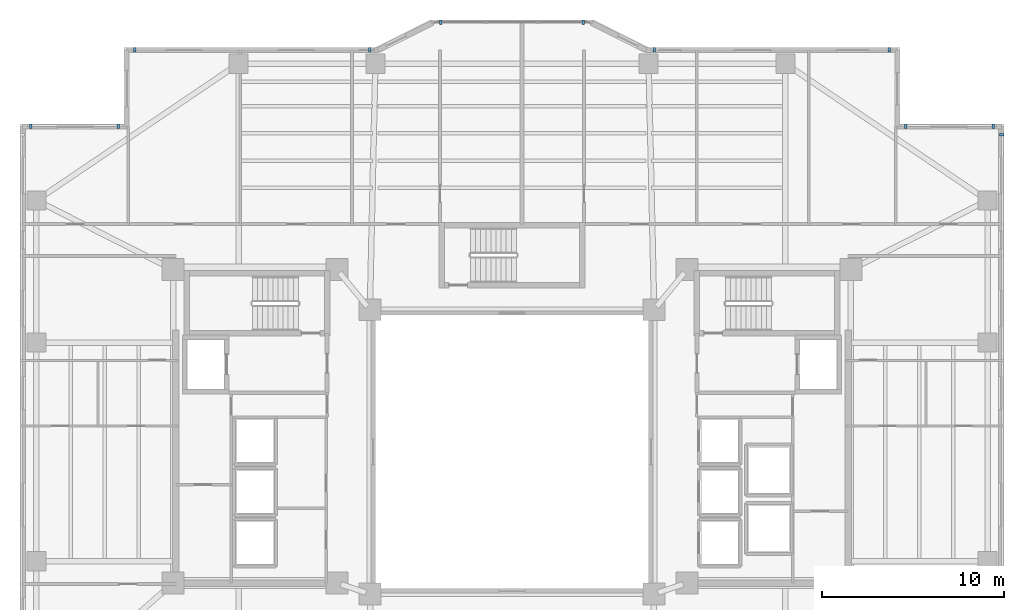
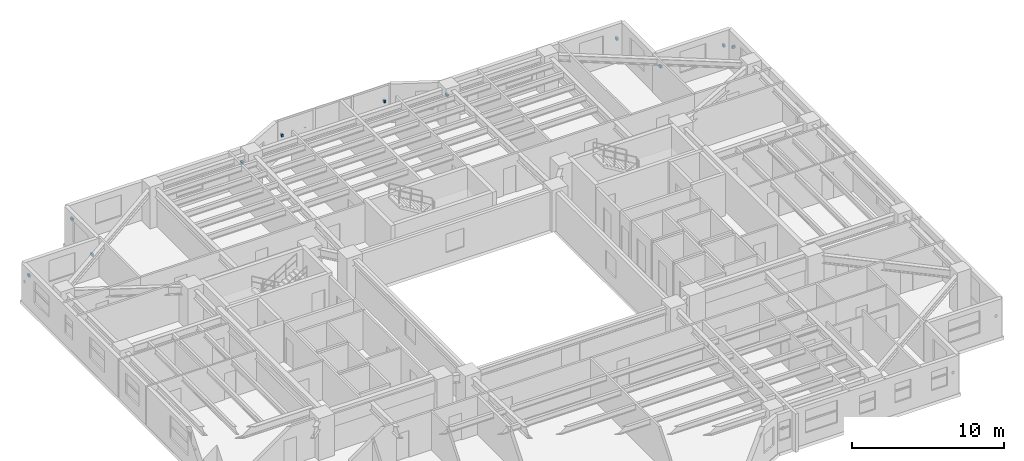
# One storey, part 13 of 18: 11 discrete accessories.
"""IFC4 building model written with IfcOpenShell, lengths in metres."""

from ifc_helpers import new_model, si_unit, direction, frame, origin, origin_2d, place, context, subcontext, project, spatial, rectangle, extrude, material, type_object, element, save


model = new_model("IFC4")

# Units and contexts
model_context = context("Model", 3, precision=1e-05, world=origin(), true_north=direction((0.0, 1.0)))
body_context = subcontext(model_context, "Body", "Model", "MODEL_VIEW")
ifc_project = project(units=[si_unit("LENGTHUNIT", "METRE"), si_unit("AREAUNIT", "SQUARE_METRE"), si_unit("VOLUMEUNIT", "CUBIC_METRE"), si_unit("PLANEANGLEUNIT", "RADIAN"), si_unit("MASSUNIT", "GRAM", prefix="KILO")], contexts=[model_context])

# Site, building, storey
site_placement = place(None, origin())
site = spatial("IfcSite", under=ifc_project, at=site_placement, CompositionType="ELEMENT")
building_placement = place(site_placement, origin())
building = spatial("IfcBuilding", under=site, at=building_placement, Name="Tarnavaz Court Tower", CompositionType="ELEMENT")
storey_placement = place(building_placement, frame((0.0, 0.0, 108.449951171875)))
storey = spatial("IfcBuildingStorey", under=building, at=storey_placement, Name="L29", CompositionType="ELEMENT", Elevation=108.449951171875)

# Discrete accessories
ifc_material = material(Name="Anodised Aluminium 6063-T6", Category="aluminium")
discrete_accessory_type = type_object("IfcDiscreteAccessoryType", Name="DA-BRKT-ALU", PredefinedType="BRACKET", material=ifc_material)
for number, where, z_axis, x_axis, name in (
    (1, (-26.39990234375, 17.8701171875, 1.75), (0.0, 0.0, 1.0), (1.0, 0.0, 0.0), "L29 Baguette Outrigger Bracket FBG03-1"),
    (2, (-21.60009765625, 17.8701171875, 1.75), (0.0, 0.0, 1.0), (1.0, 0.0, 0.0), "L29 Baguette Outrigger Bracket FBG03-2"),
    (3, (-20.699951171875, 22.070068359375, 1.75), (0.0, 0.0, 1.0), (1.0, 0.0, 0.0), "L29 Baguette Outrigger Bracket FBG05-1"),
    (4, (-7.800048828125, 22.070068359375, 1.75), (0.0, 0.0, 1.0), (1.0, 0.0, 0.0), "L29 Baguette Outrigger Bracket FBG05-2"),
    (5, (-3.89990234375, 23.570068359375, 1.7001953125), (0.0, 0.0, 1.0), (1.0, 0.0, 0.0), "L29 Baguette Outrigger Bracket PBG7-1"),
    (6, (3.89990234375, 23.570068359375, 1.7001953125), (0.0, 0.0, 1.0), (1.0, 0.0, 0.0), "L29 Baguette Outrigger Bracket PBG7-2"),
    (7, (7.800048828125, 22.070068359375, 1.75), (0.0, 0.0, 1.0), (1.0, 0.0, 0.0), "L29 Baguette Outrigger Bracket FBG09-1"),
    (8, (20.699951171875, 22.070068359375, 1.75), (0.0, 0.0, 1.0), (1.0, 0.0, 0.0), "L29 Baguette Outrigger Bracket FBG09-2"),
    (9, (21.60009765625, 17.8701171875, 1.75), (0.0, 0.0, 1.0), (1.0, 0.0, 0.0), "L29 Baguette Outrigger Bracket FBG11-1"),
    (10, (26.39990234375, 17.8701171875, 1.75), (0.0, 0.0, 1.0), (1.0, 0.0, 0.0), "L29 Baguette Outrigger Bracket FBG11-2"),
    (11, (26.8701171875, 17.39990234375, 1.75), (0.0, 0.0, 1.0), (0.0, -1.0, 0.0), "L29 Baguette Outrigger Bracket FBG12-1"),
):
    element("IfcDiscreteAccessory", number, at=place(storey_placement, frame(where, z_axis=z_axis, x_axis=x_axis)), inside=storey, type_object=discrete_accessory_type, Name=name, PredefinedType="BRACKET", context=body_context, shape_type="SweptSolid", body=[
        extrude(rectangle(XDim=0.139892578125, YDim=0.239990234375, at=origin_2d()), origin(), (0.0, 0.0, 1.0), 0.199951171875),
    ])

save(model, "model.ifc")
